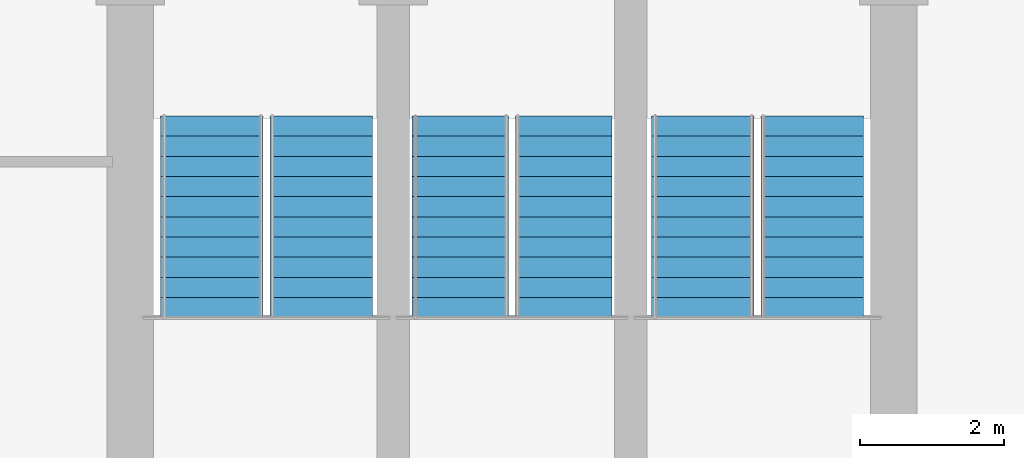
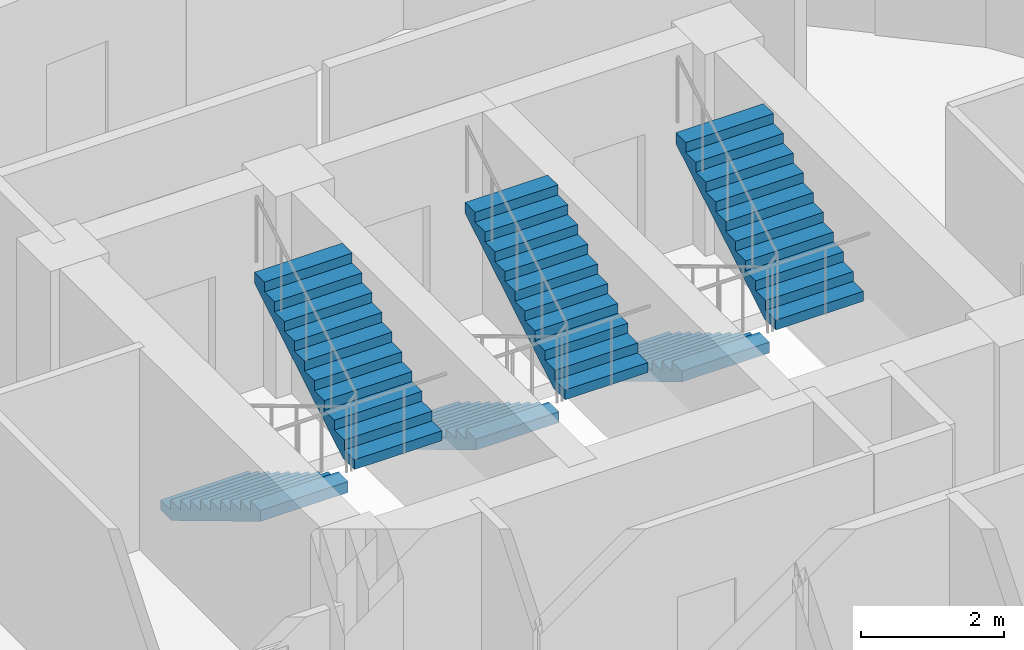
# One storey, part 25 of 26: 6 stair flights, 3 elements without a shape of their own.
"""IFC4 building model written with IfcOpenShell, lengths in metres."""

from ifc_helpers import new_model, si_unit, direction, frame, origin, place, context, subcontext, project, spatial, polyline, outline, extrude, material, type_object, element, aggregate, save


model = new_model("IFC4")

# Units and contexts
model_context = context("Model", 3, precision=1e-05, world=origin(), true_north=direction((0.0, 1.0)))
body_context = subcontext(model_context, "Body", "Model", "MODEL_VIEW")
ifc_project = project(units=[si_unit("LENGTHUNIT", "METRE"), si_unit("AREAUNIT", "SQUARE_METRE"), si_unit("VOLUMEUNIT", "CUBIC_METRE"), si_unit("PLANEANGLEUNIT", "RADIAN"), si_unit("MASSUNIT", "GRAM", prefix="KILO")], contexts=[model_context])

# Site, building, storey
site_placement = place(None, origin())
site = spatial("IfcSite", under=ifc_project, at=site_placement, CompositionType="ELEMENT")
building_placement = place(site_placement, origin())
building = spatial("IfcBuilding", under=site, at=building_placement, Name="Nuhasar Tower", CompositionType="ELEMENT")
storey_placement = place(building_placement, frame((0.0, 0.0, 155.25)))
storey = spatial("IfcBuildingStorey", under=building, at=storey_placement, Name="L37", CompositionType="ELEMENT", Elevation=155.25)

# Stair, stair flights
ifc_material = material(Name="Concrete C45/55", Category="concrete")
stair_type_1 = type_object("IfcStairType", Name="STR-ST-01-2F-22R-1682", PredefinedType="HALF_TURN_STAIR", material=ifc_material)
stair_1_placement = place(storey_placement, origin())
stair_1 = element("IfcStair", 1, at=stair_1_placement, inside=storey, type_object=stair_type_1, Name="L37 Exit Stair ST-01", PredefinedType="HALF_TURN_STAIR")
stair_flight_type_1 = type_object("IfcStairFlightType", Name="SFL-ST-01-11R-1682", PredefinedType="STRAIGHT", material=ifc_material)
stair_flight_1_placement = place(storey_placement, frame((34.830078125, 35.284912109375, 0.0), z_axis=(0.0, 0.0, 1.0), x_axis=(0.0, -1.0, 0.0)))
stair_flight_1 = element("IfcStairFlight", 2, at=stair_flight_1_placement, type_object=stair_flight_type_1, Name="ST-01 flight 1", NumberOfRisers=11, NumberOfTreads=10, PredefinedType="STRAIGHT", RiserHeight=0.168182, TreadLength=0.28, context=body_context, shape_type="SweptSolid", body=[
    extrude(outline(polyline([(0.0, 0.0), (0.0, 0.168212890625), (0.280029296875, 0.168212890625), (0.280029296875, 0.33642578125), (0.56005859375, 0.33642578125), (0.56005859375, 0.504638671875), (0.840087890625, 0.504638671875), (0.840087890625, 0.672607421875), (1.1201171875, 0.672607421875), (1.1201171875, 0.8408203125), (1.39990234375, 0.8408203125), (1.39990234375, 1.009033203125), (1.679931640625, 1.009033203125), (1.679931640625, 1.17724609375), (1.9599609375, 1.17724609375), (1.9599609375, 1.345458984375), (2.239990234375, 1.345458984375), (2.239990234375, 1.513671875), (2.52001953125, 1.513671875), (2.52001953125, 1.681884765625), (2.800048828125, 1.681884765625), (2.800048828125, 1.85009765625), (2.800048828125, 1.495361328125), (0.310546875, 0.0), (0.0, 0.0)])), frame((0.0, 0.7099609375, 0.0), z_axis=(0.0, -1.0, 0.0), x_axis=(1.0, 0.0, 0.0)), (0.0, 0.0, 1.0), 1.419921875),
])
stair_flight_2_placement = place(storey_placement, frame((36.35009765625, 32.485107421875, 1.85009765625), z_axis=(0.0, 0.0, 1.0), x_axis=(0.0, 1.0, 0.0)))
stair_flight_2 = element("IfcStairFlight", 3, at=stair_flight_2_placement, type_object=stair_flight_type_1, Name="ST-01 flight 2", NumberOfRisers=11, NumberOfTreads=10, PredefinedType="STRAIGHT", RiserHeight=0.168182, TreadLength=0.28, context=body_context, shape_type="SweptSolid", body=[
    extrude(outline(polyline([(0.0, 0.0), (0.0, 0.168212890625), (0.280029296875, 0.168212890625), (0.280029296875, 0.33642578125), (0.56005859375, 0.33642578125), (0.56005859375, 0.504638671875), (0.840087890625, 0.504638671875), (0.840087890625, 0.672607421875), (1.1201171875, 0.672607421875), (1.1201171875, 0.8408203125), (1.39990234375, 0.8408203125), (1.39990234375, 1.009033203125), (1.679931640625, 1.009033203125), (1.679931640625, 1.17724609375), (1.9599609375, 1.17724609375), (1.9599609375, 1.345458984375), (2.239990234375, 1.345458984375), (2.239990234375, 1.513671875), (2.52001953125, 1.513671875), (2.52001953125, 1.681884765625), (2.800048828125, 1.681884765625), (2.800048828125, 1.85009765625), (2.800048828125, 1.495361328125), (0.310546875, 0.0), (0.0, 0.0)])), frame((0.0, 0.7099609375, 0.0), z_axis=(0.0, -1.0, 0.0), x_axis=(1.0, 0.0, 0.0)), (0.0, 0.0, 1.0), 1.419921875),
])
aggregate(stair_1, [stair_flight_1, stair_flight_2])

stair_type_2 = type_object("IfcStairType", Name="STR-ST-02-2F-22R-1682", PredefinedType="HALF_TURN_STAIR", material=ifc_material)
stair_2_placement = place(storey_placement, origin())
stair_2 = element("IfcStair", 4, at=stair_2_placement, inside=storey, type_object=stair_type_2, Name="L37 Exit Stair ST-02", PredefinedType="HALF_TURN_STAIR")
stair_flight_type_2 = type_object("IfcStairFlightType", Name="SFL-ST-02-11R-1682", PredefinedType="STRAIGHT", material=ifc_material)
stair_flight_3_placement = place(storey_placement, frame((41.64990234375, 35.284912109375, 0.0), z_axis=(0.0, 0.0, 1.0), x_axis=(0.0, -1.0, 0.0)))
stair_flight_3 = element("IfcStairFlight", 5, at=stair_flight_3_placement, type_object=stair_flight_type_2, Name="ST-02 flight 1", NumberOfRisers=11, NumberOfTreads=10, PredefinedType="STRAIGHT", RiserHeight=0.168182, TreadLength=0.28, context=body_context, shape_type="SweptSolid", body=[
    extrude(outline(polyline([(0.0, 0.0), (0.0, 0.168212890625), (0.280029296875, 0.168212890625), (0.280029296875, 0.33642578125), (0.56005859375, 0.33642578125), (0.56005859375, 0.504638671875), (0.840087890625, 0.504638671875), (0.840087890625, 0.672607421875), (1.1201171875, 0.672607421875), (1.1201171875, 0.8408203125), (1.39990234375, 0.8408203125), (1.39990234375, 1.009033203125), (1.679931640625, 1.009033203125), (1.679931640625, 1.17724609375), (1.9599609375, 1.17724609375), (1.9599609375, 1.345458984375), (2.239990234375, 1.345458984375), (2.239990234375, 1.513671875), (2.52001953125, 1.513671875), (2.52001953125, 1.681884765625), (2.800048828125, 1.681884765625), (2.800048828125, 1.85009765625), (2.800048828125, 1.495361328125), (0.310546875, 0.0), (0.0, 0.0)])), frame((0.0, 0.7099609375, 0.0), z_axis=(0.0, -1.0, 0.0), x_axis=(1.0, 0.0, 0.0)), (0.0, 0.0, 1.0), 1.419921875),
])
stair_flight_4_placement = place(storey_placement, frame((43.169921875, 32.485107421875, 1.85009765625), z_axis=(0.0, 0.0, 1.0), x_axis=(0.0, 1.0, 0.0)))
stair_flight_4 = element("IfcStairFlight", 6, at=stair_flight_4_placement, type_object=stair_flight_type_2, Name="ST-02 flight 2", NumberOfRisers=11, NumberOfTreads=10, PredefinedType="STRAIGHT", RiserHeight=0.168182, TreadLength=0.28, context=body_context, shape_type="SweptSolid", body=[
    extrude(outline(polyline([(0.0, 0.0), (0.0, 0.168212890625), (0.280029296875, 0.168212890625), (0.280029296875, 0.33642578125), (0.56005859375, 0.33642578125), (0.56005859375, 0.504638671875), (0.840087890625, 0.504638671875), (0.840087890625, 0.672607421875), (1.1201171875, 0.672607421875), (1.1201171875, 0.8408203125), (1.39990234375, 0.8408203125), (1.39990234375, 1.009033203125), (1.679931640625, 1.009033203125), (1.679931640625, 1.17724609375), (1.9599609375, 1.17724609375), (1.9599609375, 1.345458984375), (2.239990234375, 1.345458984375), (2.239990234375, 1.513671875), (2.52001953125, 1.513671875), (2.52001953125, 1.681884765625), (2.800048828125, 1.681884765625), (2.800048828125, 1.85009765625), (2.800048828125, 1.495361328125), (0.310546875, 0.0), (0.0, 0.0)])), frame((0.0, 0.7099609375, 0.0), z_axis=(0.0, -1.0, 0.0), x_axis=(1.0, 0.0, 0.0)), (0.0, 0.0, 1.0), 1.419921875),
])
aggregate(stair_2, [stair_flight_3, stair_flight_4])

stair_type_3 = type_object("IfcStairType", Name="STR-ST-03-2F-22R-1682", PredefinedType="HALF_TURN_STAIR", material=ifc_material)
stair_3_placement = place(storey_placement, origin())
stair_3 = element("IfcStair", 7, at=stair_3_placement, inside=storey, type_object=stair_type_3, Name="L37 Exit Stair ST-03", PredefinedType="HALF_TURN_STAIR")
stair_flight_type_3 = type_object("IfcStairFlightType", Name="SFL-ST-03-11R-1682", PredefinedType="STRAIGHT", material=ifc_material)
stair_flight_5_placement = place(storey_placement, frame((38.280029296875, 35.284912109375, 0.0), z_axis=(0.0, 0.0, 1.0), x_axis=(0.0, -1.0, 0.0)))
stair_flight_5 = element("IfcStairFlight", 8, at=stair_flight_5_placement, type_object=stair_flight_type_3, Name="ST-03 flight 1", NumberOfRisers=11, NumberOfTreads=10, PredefinedType="STRAIGHT", RiserHeight=0.168182, TreadLength=0.28, context=body_context, shape_type="SweptSolid", body=[
    extrude(outline(polyline([(0.0, 0.0), (0.0, 0.168212890625), (0.280029296875, 0.168212890625), (0.280029296875, 0.33642578125), (0.56005859375, 0.33642578125), (0.56005859375, 0.504638671875), (0.840087890625, 0.504638671875), (0.840087890625, 0.672607421875), (1.1201171875, 0.672607421875), (1.1201171875, 0.8408203125), (1.39990234375, 0.8408203125), (1.39990234375, 1.009033203125), (1.679931640625, 1.009033203125), (1.679931640625, 1.17724609375), (1.9599609375, 1.17724609375), (1.9599609375, 1.345458984375), (2.239990234375, 1.345458984375), (2.239990234375, 1.513671875), (2.52001953125, 1.513671875), (2.52001953125, 1.681884765625), (2.800048828125, 1.681884765625), (2.800048828125, 1.85009765625), (2.800048828125, 1.495361328125), (0.310546875, 0.0), (0.0, 0.0)])), frame((0.0, 0.669921875, 0.0), z_axis=(0.0, -1.0, 0.0), x_axis=(1.0, 0.0, 0.0)), (0.0, 0.0, 1.0), 1.340087890625),
])
stair_flight_6_placement = place(storey_placement, frame((39.719970703125, 32.485107421875, 1.85009765625), z_axis=(0.0, 0.0, 1.0), x_axis=(0.0, 1.0, 0.0)))
stair_flight_6 = element("IfcStairFlight", 9, at=stair_flight_6_placement, type_object=stair_flight_type_3, Name="ST-03 flight 2", NumberOfRisers=11, NumberOfTreads=10, PredefinedType="STRAIGHT", RiserHeight=0.168182, TreadLength=0.28, context=body_context, shape_type="SweptSolid", body=[
    extrude(outline(polyline([(0.0, 0.0), (0.0, 0.168212890625), (0.280029296875, 0.168212890625), (0.280029296875, 0.33642578125), (0.56005859375, 0.33642578125), (0.56005859375, 0.504638671875), (0.840087890625, 0.504638671875), (0.840087890625, 0.672607421875), (1.1201171875, 0.672607421875), (1.1201171875, 0.8408203125), (1.39990234375, 0.8408203125), (1.39990234375, 1.009033203125), (1.679931640625, 1.009033203125), (1.679931640625, 1.17724609375), (1.9599609375, 1.17724609375), (1.9599609375, 1.345458984375), (2.239990234375, 1.345458984375), (2.239990234375, 1.513671875), (2.52001953125, 1.513671875), (2.52001953125, 1.681884765625), (2.800048828125, 1.681884765625), (2.800048828125, 1.85009765625), (2.800048828125, 1.495361328125), (0.310546875, 0.0), (0.0, 0.0)])), frame((0.0, 0.669921875, 0.0), z_axis=(0.0, -1.0, 0.0), x_axis=(1.0, 0.0, 0.0)), (0.0, 0.0, 1.0), 1.340087890625),
])
aggregate(stair_3, [stair_flight_5, stair_flight_6])

save(model, "model.ifc")
